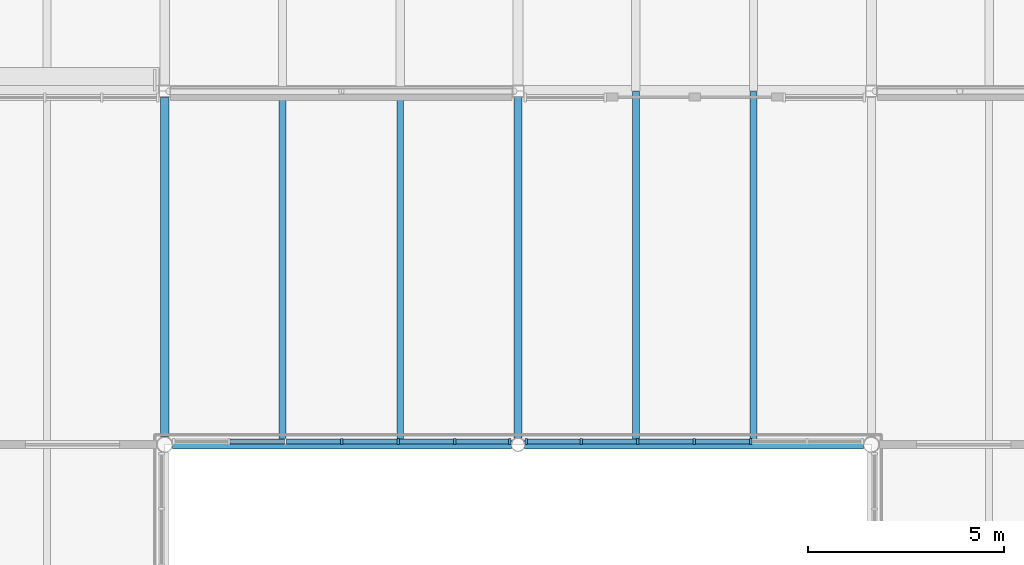
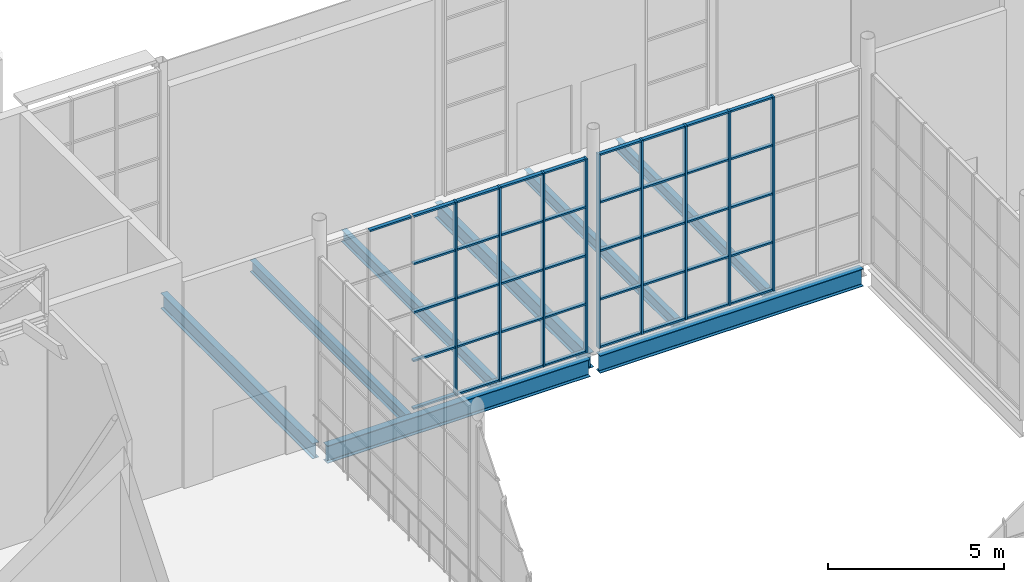
# One storey, part 54 of 90: 50 members, 8 beams, 2 elements without a shape of their own.
"""IFC4 building model written with IfcOpenShell, lengths in metres."""

from ifc_helpers import new_model, si_unit, direction, frame, origin, origin_2d, place, context, subcontext, project, spatial, rectangle, i_section, extrude, material, layer, layer_set, material_profile, profile_set, type_object, element, aggregate, save


model = new_model("IFC4")

# Units and contexts
model_context = context("Model", 3, precision=1e-05, world=origin(), true_north=direction((0.0, 1.0)))
body_context = subcontext(model_context, "Body", "Model", "MODEL_VIEW")
ifc_project = project(units=[si_unit("LENGTHUNIT", "METRE"), si_unit("AREAUNIT", "SQUARE_METRE"), si_unit("VOLUMEUNIT", "CUBIC_METRE"), si_unit("PLANEANGLEUNIT", "RADIAN"), si_unit("MASSUNIT", "GRAM", prefix="KILO")], contexts=[model_context])

# Site, building, storey
site_placement = place(None, origin())
site = spatial("IfcSite", under=ifc_project, at=site_placement, CompositionType="ELEMENT")
building_placement = place(site_placement, origin())
building = spatial("IfcBuilding", under=site, at=building_placement, Name="Halyard Row Museum", CompositionType="ELEMENT")
storey_placement = place(building_placement, frame((0.0, 0.0, 13.39990234375)))
storey = spatial("IfcBuildingStorey", under=building, at=storey_placement, Name="L03", CompositionType="ELEMENT", Elevation=13.39990234375)

# Curtain wall, members
ifc_material_1 = material(Name="Fire-resisting laminated glazing", Category="glass")
ifc_layer = layer(ifc_material_1, 0.159912109375)
ifc_layer_set = layer_set([ifc_layer], Name="Fire-resisting laminated glazing")
curtain_wall_type = type_object("IfcCurtainWallType", Name="Curtain wall atrium screen 160 deep", PredefinedType="NOTDEFINED", material=ifc_layer_set)
curtain_wall_1_placement = place(storey_placement, origin())
curtain_wall_1 = element("IfcCurtainWall", 1, at=curtain_wall_1_placement, inside=storey, type_object=curtain_wall_type, Name="Curtain wall CW098", PredefinedType="NOTDEFINED")
ifc_material_2 = material(Name="Powder-coated aluminium section", Category="aluminium")
ifc_material_profile_1 = material_profile(ifc_material_2, rectangle(XDim=0.159912109375, YDim=0.06005859375, at=origin_2d()), Name="160x60 mullion")
ifc_profile_set_1 = profile_set([ifc_material_profile_1], Name="Powder-coated aluminium section")
member_type_1 = type_object("IfcMemberType", Name="Curtain wall mullion CM5 60 x 160", PredefinedType="MULLION", material=ifc_profile_set_1)
member_1_placement = place(storey_placement, frame((95.923828125, 27.080078125, 0.0), z_axis=(0.0, 0.0, 1.0), x_axis=(0.0, -1.0, 0.0)))
member_1 = element("IfcMember", 2, at=member_1_placement, type_object=member_type_1, Name="CW098 mullion 3", PredefinedType="MULLION", context=body_context, shape_type="SweptSolid", body=[
    extrude(rectangle(XDim=0.159912109375, YDim=0.06005859375, at=origin_2d()), origin(), (0.0, 0.0, 1.0), 6.732177734375),
])
member_2_placement = place(storey_placement, frame((94.4873046875, 27.080078125, 0.0), z_axis=(0.0, 0.0, 1.0), x_axis=(0.0, -1.0, 0.0)))
member_2 = element("IfcMember", 3, at=member_2_placement, type_object=member_type_1, Name="CW098 mullion 4", PredefinedType="MULLION", context=body_context, shape_type="SweptSolid", body=[
    extrude(rectangle(XDim=0.159912109375, YDim=0.06005859375, at=origin_2d()), origin(), (0.0, 0.0, 1.0), 6.732177734375),
])
member_3_placement = place(storey_placement, frame((93.05078125, 27.080078125, 0.0), z_axis=(0.0, 0.0, 1.0), x_axis=(0.0, -1.0, 0.0)))
member_3 = element("IfcMember", 4, at=member_3_placement, type_object=member_type_1, Name="CW098 mullion 5", PredefinedType="MULLION", context=body_context, shape_type="SweptSolid", body=[
    extrude(rectangle(XDim=0.159912109375, YDim=0.06005859375, at=origin_2d()), origin(), (0.0, 0.0, 1.0), 6.732177734375),
])
member_4_placement = place(storey_placement, frame((91.6142578125, 27.080078125, 0.0), z_axis=(0.0, 0.0, 1.0), x_axis=(0.0, -1.0, 0.0)))
member_4 = element("IfcMember", 5, at=member_4_placement, type_object=member_type_1, Name="CW098 mullion 6", PredefinedType="MULLION", context=body_context, shape_type="SweptSolid", body=[
    extrude(rectangle(XDim=0.159912109375, YDim=0.06005859375, at=origin_2d()), origin(), (0.0, 0.0, 1.0), 6.732177734375),
])
member_5_placement = place(storey_placement, frame((90.207763671875, 27.080078125, 0.0), z_axis=(0.0, 0.0, 1.0), x_axis=(0.0, -1.0, 0.0)))
member_5 = element("IfcMember", 6, at=member_5_placement, type_object=member_type_1, Name="CW098 mullion 7", PredefinedType="MULLION", context=body_context, shape_type="SweptSolid", body=[
    extrude(rectangle(XDim=0.159912109375, YDim=0.06005859375, at=origin_2d()), origin(), (0.0, 0.0, 1.0), 6.732177734375),
])

curtain_wall_2_placement = place(storey_placement, origin())
curtain_wall_2 = element("IfcCurtainWall", 7, at=curtain_wall_2_placement, inside=storey, type_object=curtain_wall_type, Name="Curtain wall CW099", PredefinedType="NOTDEFINED")
member_6_placement = place(storey_placement, frame((89.792236328125, 27.080078125, 0.0), z_axis=(0.0, 0.0, 1.0), x_axis=(0.0, -1.0, 0.0)))
member_6 = element("IfcMember", 8, at=member_6_placement, type_object=member_type_1, Name="CW099 mullion 1", PredefinedType="MULLION", context=body_context, shape_type="SweptSolid", body=[
    extrude(rectangle(XDim=0.159912109375, YDim=0.06005859375, at=origin_2d()), origin(), (0.0, 0.0, 1.0), 6.732177734375),
])
member_7_placement = place(storey_placement, frame((88.3857421875, 27.080078125, 0.0), z_axis=(0.0, 0.0, 1.0), x_axis=(0.0, -1.0, 0.0)))
member_7 = element("IfcMember", 9, at=member_7_placement, type_object=member_type_1, Name="CW099 mullion 2", PredefinedType="MULLION", context=body_context, shape_type="SweptSolid", body=[
    extrude(rectangle(XDim=0.159912109375, YDim=0.06005859375, at=origin_2d()), origin(), (0.0, 0.0, 1.0), 6.732177734375),
])
member_8_placement = place(storey_placement, frame((86.94921875, 27.080078125, 0.0), z_axis=(0.0, 0.0, 1.0), x_axis=(0.0, -1.0, 0.0)))
member_8 = element("IfcMember", 10, at=member_8_placement, type_object=member_type_1, Name="CW099 mullion 3", PredefinedType="MULLION", context=body_context, shape_type="SweptSolid", body=[
    extrude(rectangle(XDim=0.159912109375, YDim=0.06005859375, at=origin_2d()), origin(), (0.0, 0.0, 1.0), 6.732177734375),
])
member_9_placement = place(storey_placement, frame((85.5126953125, 27.080078125, 0.0), z_axis=(0.0, 0.0, 1.0), x_axis=(0.0, -1.0, 0.0)))
member_9 = element("IfcMember", 11, at=member_9_placement, type_object=member_type_1, Name="CW099 mullion 4", PredefinedType="MULLION", context=body_context, shape_type="SweptSolid", body=[
    extrude(rectangle(XDim=0.159912109375, YDim=0.06005859375, at=origin_2d()), origin(), (0.0, 0.0, 1.0), 6.732177734375),
])

# Member
ifc_material_3 = material(Name="Powder-coated aluminium section", Category="aluminium")
ifc_material_profile_2 = material_profile(ifc_material_3, rectangle(XDim=0.1201171875, YDim=0.06005859375, at=origin_2d()), Name="120x60 transom")
ifc_profile_set_2 = profile_set([ifc_material_profile_2], Name="Powder-coated aluminium section")
member_type_2 = type_object("IfcMemberType", Name="Curtain wall transom CT5 60 x 120", PredefinedType="USERDEFINED", material=ifc_profile_set_2)
member_10_placement = place(storey_placement, frame((95.893798828125, 27.080078125, 0.030029296875), z_axis=(-1.0, 0.0, 0.0), x_axis=(0.0, -1.0, 0.0)))
member_10 = element("IfcMember", 12, at=member_10_placement, type_object=member_type_2, Name="CW098 transom 3.1", ObjectType="TRANSOM", PredefinedType="USERDEFINED", context=body_context, shape_type="SweptSolid", body=[
    extrude(rectangle(XDim=0.1201171875, YDim=0.06005859375, at=origin_2d()), origin(), (0.0, 0.0, 1.0), 1.37646484375),
])

member_11_placement = place(storey_placement, frame((95.893798828125, 27.080078125, 1.68310546875), z_axis=(-1.0, 0.0, 0.0), x_axis=(0.0, -1.0, 0.0)))
member_11 = element("IfcMember", 13, at=member_11_placement, type_object=member_type_2, Name="CW098 transom 3.2", ObjectType="TRANSOM", PredefinedType="USERDEFINED", context=body_context, shape_type="SweptSolid", body=[
    extrude(rectangle(XDim=0.1201171875, YDim=0.06005859375, at=origin_2d()), origin(), (0.0, 0.0, 1.0), 1.37646484375),
])

member_12_placement = place(storey_placement, frame((95.893798828125, 27.080078125, 3.3662109375), z_axis=(-1.0, 0.0, 0.0), x_axis=(0.0, -1.0, 0.0)))
member_12 = element("IfcMember", 14, at=member_12_placement, type_object=member_type_2, Name="CW098 transom 3.3", ObjectType="TRANSOM", PredefinedType="USERDEFINED", context=body_context, shape_type="SweptSolid", body=[
    extrude(rectangle(XDim=0.1201171875, YDim=0.06005859375, at=origin_2d()), origin(), (0.0, 0.0, 1.0), 1.37646484375),
])

member_13_placement = place(storey_placement, frame((95.893798828125, 27.080078125, 5.049072265625), z_axis=(-1.0, 0.0, 0.0), x_axis=(0.0, -1.0, 0.0)))
member_13 = element("IfcMember", 15, at=member_13_placement, type_object=member_type_2, Name="CW098 transom 3.4", ObjectType="TRANSOM", PredefinedType="USERDEFINED", context=body_context, shape_type="SweptSolid", body=[
    extrude(rectangle(XDim=0.1201171875, YDim=0.06005859375, at=origin_2d()), origin(), (0.0, 0.0, 1.0), 1.37646484375),
])

member_14_placement = place(storey_placement, frame((95.893798828125, 27.080078125, 6.7021484375), z_axis=(-1.0, 0.0, 0.0), x_axis=(0.0, -1.0, 0.0)))
member_14 = element("IfcMember", 16, at=member_14_placement, type_object=member_type_2, Name="CW098 transom 3.5", ObjectType="TRANSOM", PredefinedType="USERDEFINED", context=body_context, shape_type="SweptSolid", body=[
    extrude(rectangle(XDim=0.1201171875, YDim=0.06005859375, at=origin_2d()), origin(), (0.0, 0.0, 1.0), 1.37646484375),
])

member_15_placement = place(storey_placement, frame((94.457275390625, 27.080078125, 0.030029296875), z_axis=(-1.0, 0.0, 0.0), x_axis=(0.0, -1.0, 0.0)))
member_15 = element("IfcMember", 17, at=member_15_placement, type_object=member_type_2, Name="CW098 transom 4.1", ObjectType="TRANSOM", PredefinedType="USERDEFINED", context=body_context, shape_type="SweptSolid", body=[
    extrude(rectangle(XDim=0.1201171875, YDim=0.06005859375, at=origin_2d()), origin(), (0.0, 0.0, 1.0), 1.37646484375),
])

member_16_placement = place(storey_placement, frame((94.457275390625, 27.080078125, 1.68310546875), z_axis=(-1.0, 0.0, 0.0), x_axis=(0.0, -1.0, 0.0)))
member_16 = element("IfcMember", 18, at=member_16_placement, type_object=member_type_2, Name="CW098 transom 4.2", ObjectType="TRANSOM", PredefinedType="USERDEFINED", context=body_context, shape_type="SweptSolid", body=[
    extrude(rectangle(XDim=0.1201171875, YDim=0.06005859375, at=origin_2d()), origin(), (0.0, 0.0, 1.0), 1.37646484375),
])

member_17_placement = place(storey_placement, frame((94.457275390625, 27.080078125, 3.3662109375), z_axis=(-1.0, 0.0, 0.0), x_axis=(0.0, -1.0, 0.0)))
member_17 = element("IfcMember", 19, at=member_17_placement, type_object=member_type_2, Name="CW098 transom 4.3", ObjectType="TRANSOM", PredefinedType="USERDEFINED", context=body_context, shape_type="SweptSolid", body=[
    extrude(rectangle(XDim=0.1201171875, YDim=0.06005859375, at=origin_2d()), origin(), (0.0, 0.0, 1.0), 1.37646484375),
])

member_18_placement = place(storey_placement, frame((94.457275390625, 27.080078125, 5.049072265625), z_axis=(-1.0, 0.0, 0.0), x_axis=(0.0, -1.0, 0.0)))
member_18 = element("IfcMember", 20, at=member_18_placement, type_object=member_type_2, Name="CW098 transom 4.4", ObjectType="TRANSOM", PredefinedType="USERDEFINED", context=body_context, shape_type="SweptSolid", body=[
    extrude(rectangle(XDim=0.1201171875, YDim=0.06005859375, at=origin_2d()), origin(), (0.0, 0.0, 1.0), 1.37646484375),
])

member_19_placement = place(storey_placement, frame((94.457275390625, 27.080078125, 6.7021484375), z_axis=(-1.0, 0.0, 0.0), x_axis=(0.0, -1.0, 0.0)))
member_19 = element("IfcMember", 21, at=member_19_placement, type_object=member_type_2, Name="CW098 transom 4.5", ObjectType="TRANSOM", PredefinedType="USERDEFINED", context=body_context, shape_type="SweptSolid", body=[
    extrude(rectangle(XDim=0.1201171875, YDim=0.06005859375, at=origin_2d()), origin(), (0.0, 0.0, 1.0), 1.37646484375),
])

member_20_placement = place(storey_placement, frame((93.020751953125, 27.080078125, 0.030029296875), z_axis=(-1.0, 0.0, 0.0), x_axis=(0.0, -1.0, 0.0)))
member_20 = element("IfcMember", 22, at=member_20_placement, type_object=member_type_2, Name="CW098 transom 5.1", ObjectType="TRANSOM", PredefinedType="USERDEFINED", context=body_context, shape_type="SweptSolid", body=[
    extrude(rectangle(XDim=0.1201171875, YDim=0.06005859375, at=origin_2d()), origin(), (0.0, 0.0, 1.0), 1.37646484375),
])

member_21_placement = place(storey_placement, frame((93.020751953125, 27.080078125, 1.68310546875), z_axis=(-1.0, 0.0, 0.0), x_axis=(0.0, -1.0, 0.0)))
member_21 = element("IfcMember", 23, at=member_21_placement, type_object=member_type_2, Name="CW098 transom 5.2", ObjectType="TRANSOM", PredefinedType="USERDEFINED", context=body_context, shape_type="SweptSolid", body=[
    extrude(rectangle(XDim=0.1201171875, YDim=0.06005859375, at=origin_2d()), origin(), (0.0, 0.0, 1.0), 1.37646484375),
])

member_22_placement = place(storey_placement, frame((93.020751953125, 27.080078125, 3.3662109375), z_axis=(-1.0, 0.0, 0.0), x_axis=(0.0, -1.0, 0.0)))
member_22 = element("IfcMember", 24, at=member_22_placement, type_object=member_type_2, Name="CW098 transom 5.3", ObjectType="TRANSOM", PredefinedType="USERDEFINED", context=body_context, shape_type="SweptSolid", body=[
    extrude(rectangle(XDim=0.1201171875, YDim=0.06005859375, at=origin_2d()), origin(), (0.0, 0.0, 1.0), 1.37646484375),
])

member_23_placement = place(storey_placement, frame((93.020751953125, 27.080078125, 5.049072265625), z_axis=(-1.0, 0.0, 0.0), x_axis=(0.0, -1.0, 0.0)))
member_23 = element("IfcMember", 25, at=member_23_placement, type_object=member_type_2, Name="CW098 transom 5.4", ObjectType="TRANSOM", PredefinedType="USERDEFINED", context=body_context, shape_type="SweptSolid", body=[
    extrude(rectangle(XDim=0.1201171875, YDim=0.06005859375, at=origin_2d()), origin(), (0.0, 0.0, 1.0), 1.37646484375),
])

member_24_placement = place(storey_placement, frame((93.020751953125, 27.080078125, 6.7021484375), z_axis=(-1.0, 0.0, 0.0), x_axis=(0.0, -1.0, 0.0)))
member_24 = element("IfcMember", 26, at=member_24_placement, type_object=member_type_2, Name="CW098 transom 5.5", ObjectType="TRANSOM", PredefinedType="USERDEFINED", context=body_context, shape_type="SweptSolid", body=[
    extrude(rectangle(XDim=0.1201171875, YDim=0.06005859375, at=origin_2d()), origin(), (0.0, 0.0, 1.0), 1.37646484375),
])

member_25_placement = place(storey_placement, frame((91.584228515625, 27.080078125, 0.030029296875), z_axis=(-1.0, 0.0, 0.0), x_axis=(0.0, -1.0, 0.0)))
member_25 = element("IfcMember", 27, at=member_25_placement, type_object=member_type_2, Name="CW098 transom 6.1", ObjectType="TRANSOM", PredefinedType="USERDEFINED", context=body_context, shape_type="SweptSolid", body=[
    extrude(rectangle(XDim=0.1201171875, YDim=0.06005859375, at=origin_2d()), origin(), (0.0, 0.0, 1.0), 1.346435546875),
])

member_26_placement = place(storey_placement, frame((91.584228515625, 27.080078125, 1.68310546875), z_axis=(-1.0, 0.0, 0.0), x_axis=(0.0, -1.0, 0.0)))
member_26 = element("IfcMember", 28, at=member_26_placement, type_object=member_type_2, Name="CW098 transom 6.2", ObjectType="TRANSOM", PredefinedType="USERDEFINED", context=body_context, shape_type="SweptSolid", body=[
    extrude(rectangle(XDim=0.1201171875, YDim=0.06005859375, at=origin_2d()), origin(), (0.0, 0.0, 1.0), 1.346435546875),
])

member_27_placement = place(storey_placement, frame((91.584228515625, 27.080078125, 3.3662109375), z_axis=(-1.0, 0.0, 0.0), x_axis=(0.0, -1.0, 0.0)))
member_27 = element("IfcMember", 29, at=member_27_placement, type_object=member_type_2, Name="CW098 transom 6.3", ObjectType="TRANSOM", PredefinedType="USERDEFINED", context=body_context, shape_type="SweptSolid", body=[
    extrude(rectangle(XDim=0.1201171875, YDim=0.06005859375, at=origin_2d()), origin(), (0.0, 0.0, 1.0), 1.346435546875),
])

member_28_placement = place(storey_placement, frame((91.584228515625, 27.080078125, 5.049072265625), z_axis=(-1.0, 0.0, 0.0), x_axis=(0.0, -1.0, 0.0)))
member_28 = element("IfcMember", 30, at=member_28_placement, type_object=member_type_2, Name="CW098 transom 6.4", ObjectType="TRANSOM", PredefinedType="USERDEFINED", context=body_context, shape_type="SweptSolid", body=[
    extrude(rectangle(XDim=0.1201171875, YDim=0.06005859375, at=origin_2d()), origin(), (0.0, 0.0, 1.0), 1.346435546875),
])

member_29_placement = place(storey_placement, frame((91.584228515625, 27.080078125, 6.7021484375), z_axis=(-1.0, 0.0, 0.0), x_axis=(0.0, -1.0, 0.0)))
member_29 = element("IfcMember", 31, at=member_29_placement, type_object=member_type_2, Name="CW098 transom 6.5", ObjectType="TRANSOM", PredefinedType="USERDEFINED", context=body_context, shape_type="SweptSolid", body=[
    extrude(rectangle(XDim=0.1201171875, YDim=0.06005859375, at=origin_2d()), origin(), (0.0, 0.0, 1.0), 1.346435546875),
])

aggregate(curtain_wall_1, [member_1, member_2, member_3, member_4, member_5, member_10, member_11, member_12, member_13, member_14, member_15, member_16, member_17, member_18, member_19, member_20, member_21, member_22, member_23, member_24, member_25, member_26, member_27, member_28, member_29])

member_30_placement = place(storey_placement, frame((89.76220703125, 27.080078125, 0.030029296875), z_axis=(-1.0, 0.0, 0.0), x_axis=(0.0, -1.0, 0.0)))
member_30 = element("IfcMember", 32, at=member_30_placement, type_object=member_type_2, Name="CW099 transom 1.1", ObjectType="TRANSOM", PredefinedType="USERDEFINED", context=body_context, shape_type="SweptSolid", body=[
    extrude(rectangle(XDim=0.1201171875, YDim=0.06005859375, at=origin_2d()), origin(), (0.0, 0.0, 1.0), 1.346435546875),
])

member_31_placement = place(storey_placement, frame((89.76220703125, 27.080078125, 1.68310546875), z_axis=(-1.0, 0.0, 0.0), x_axis=(0.0, -1.0, 0.0)))
member_31 = element("IfcMember", 33, at=member_31_placement, type_object=member_type_2, Name="CW099 transom 1.2", ObjectType="TRANSOM", PredefinedType="USERDEFINED", context=body_context, shape_type="SweptSolid", body=[
    extrude(rectangle(XDim=0.1201171875, YDim=0.06005859375, at=origin_2d()), origin(), (0.0, 0.0, 1.0), 1.346435546875),
])

member_32_placement = place(storey_placement, frame((89.76220703125, 27.080078125, 3.3662109375), z_axis=(-1.0, 0.0, 0.0), x_axis=(0.0, -1.0, 0.0)))
member_32 = element("IfcMember", 34, at=member_32_placement, type_object=member_type_2, Name="CW099 transom 1.3", ObjectType="TRANSOM", PredefinedType="USERDEFINED", context=body_context, shape_type="SweptSolid", body=[
    extrude(rectangle(XDim=0.1201171875, YDim=0.06005859375, at=origin_2d()), origin(), (0.0, 0.0, 1.0), 1.346435546875),
])

member_33_placement = place(storey_placement, frame((89.76220703125, 27.080078125, 5.049072265625), z_axis=(-1.0, 0.0, 0.0), x_axis=(0.0, -1.0, 0.0)))
member_33 = element("IfcMember", 35, at=member_33_placement, type_object=member_type_2, Name="CW099 transom 1.4", ObjectType="TRANSOM", PredefinedType="USERDEFINED", context=body_context, shape_type="SweptSolid", body=[
    extrude(rectangle(XDim=0.1201171875, YDim=0.06005859375, at=origin_2d()), origin(), (0.0, 0.0, 1.0), 1.346435546875),
])

member_34_placement = place(storey_placement, frame((89.76220703125, 27.080078125, 6.7021484375), z_axis=(-1.0, 0.0, 0.0), x_axis=(0.0, -1.0, 0.0)))
member_34 = element("IfcMember", 36, at=member_34_placement, type_object=member_type_2, Name="CW099 transom 1.5", ObjectType="TRANSOM", PredefinedType="USERDEFINED", context=body_context, shape_type="SweptSolid", body=[
    extrude(rectangle(XDim=0.1201171875, YDim=0.06005859375, at=origin_2d()), origin(), (0.0, 0.0, 1.0), 1.346435546875),
])

member_35_placement = place(storey_placement, frame((88.355712890625, 27.080078125, 0.030029296875), z_axis=(-1.0, 0.0, 0.0), x_axis=(0.0, -1.0, 0.0)))
member_35 = element("IfcMember", 37, at=member_35_placement, type_object=member_type_2, Name="CW099 transom 2.1", ObjectType="TRANSOM", PredefinedType="USERDEFINED", context=body_context, shape_type="SweptSolid", body=[
    extrude(rectangle(XDim=0.1201171875, YDim=0.06005859375, at=origin_2d()), origin(), (0.0, 0.0, 1.0), 1.37646484375),
])

member_36_placement = place(storey_placement, frame((88.355712890625, 27.080078125, 1.68310546875), z_axis=(-1.0, 0.0, 0.0), x_axis=(0.0, -1.0, 0.0)))
member_36 = element("IfcMember", 38, at=member_36_placement, type_object=member_type_2, Name="CW099 transom 2.2", ObjectType="TRANSOM", PredefinedType="USERDEFINED", context=body_context, shape_type="SweptSolid", body=[
    extrude(rectangle(XDim=0.1201171875, YDim=0.06005859375, at=origin_2d()), origin(), (0.0, 0.0, 1.0), 1.37646484375),
])

member_37_placement = place(storey_placement, frame((88.355712890625, 27.080078125, 3.3662109375), z_axis=(-1.0, 0.0, 0.0), x_axis=(0.0, -1.0, 0.0)))
member_37 = element("IfcMember", 39, at=member_37_placement, type_object=member_type_2, Name="CW099 transom 2.3", ObjectType="TRANSOM", PredefinedType="USERDEFINED", context=body_context, shape_type="SweptSolid", body=[
    extrude(rectangle(XDim=0.1201171875, YDim=0.06005859375, at=origin_2d()), origin(), (0.0, 0.0, 1.0), 1.37646484375),
])

member_38_placement = place(storey_placement, frame((88.355712890625, 27.080078125, 5.049072265625), z_axis=(-1.0, 0.0, 0.0), x_axis=(0.0, -1.0, 0.0)))
member_38 = element("IfcMember", 40, at=member_38_placement, type_object=member_type_2, Name="CW099 transom 2.4", ObjectType="TRANSOM", PredefinedType="USERDEFINED", context=body_context, shape_type="SweptSolid", body=[
    extrude(rectangle(XDim=0.1201171875, YDim=0.06005859375, at=origin_2d()), origin(), (0.0, 0.0, 1.0), 1.37646484375),
])

member_39_placement = place(storey_placement, frame((88.355712890625, 27.080078125, 6.7021484375), z_axis=(-1.0, 0.0, 0.0), x_axis=(0.0, -1.0, 0.0)))
member_39 = element("IfcMember", 41, at=member_39_placement, type_object=member_type_2, Name="CW099 transom 2.5", ObjectType="TRANSOM", PredefinedType="USERDEFINED", context=body_context, shape_type="SweptSolid", body=[
    extrude(rectangle(XDim=0.1201171875, YDim=0.06005859375, at=origin_2d()), origin(), (0.0, 0.0, 1.0), 1.37646484375),
])

member_40_placement = place(storey_placement, frame((86.919189453125, 27.080078125, 0.030029296875), z_axis=(-1.0, 0.0, 0.0), x_axis=(0.0, -1.0, 0.0)))
member_40 = element("IfcMember", 42, at=member_40_placement, type_object=member_type_2, Name="CW099 transom 3.1", ObjectType="TRANSOM", PredefinedType="USERDEFINED", context=body_context, shape_type="SweptSolid", body=[
    extrude(rectangle(XDim=0.1201171875, YDim=0.06005859375, at=origin_2d()), origin(), (0.0, 0.0, 1.0), 1.37646484375),
])

member_41_placement = place(storey_placement, frame((86.919189453125, 27.080078125, 1.68310546875), z_axis=(-1.0, 0.0, 0.0), x_axis=(0.0, -1.0, 0.0)))
member_41 = element("IfcMember", 43, at=member_41_placement, type_object=member_type_2, Name="CW099 transom 3.2", ObjectType="TRANSOM", PredefinedType="USERDEFINED", context=body_context, shape_type="SweptSolid", body=[
    extrude(rectangle(XDim=0.1201171875, YDim=0.06005859375, at=origin_2d()), origin(), (0.0, 0.0, 1.0), 1.37646484375),
])

member_42_placement = place(storey_placement, frame((86.919189453125, 27.080078125, 3.3662109375), z_axis=(-1.0, 0.0, 0.0), x_axis=(0.0, -1.0, 0.0)))
member_42 = element("IfcMember", 44, at=member_42_placement, type_object=member_type_2, Name="CW099 transom 3.3", ObjectType="TRANSOM", PredefinedType="USERDEFINED", context=body_context, shape_type="SweptSolid", body=[
    extrude(rectangle(XDim=0.1201171875, YDim=0.06005859375, at=origin_2d()), origin(), (0.0, 0.0, 1.0), 1.37646484375),
])

member_43_placement = place(storey_placement, frame((86.919189453125, 27.080078125, 5.049072265625), z_axis=(-1.0, 0.0, 0.0), x_axis=(0.0, -1.0, 0.0)))
member_43 = element("IfcMember", 45, at=member_43_placement, type_object=member_type_2, Name="CW099 transom 3.4", ObjectType="TRANSOM", PredefinedType="USERDEFINED", context=body_context, shape_type="SweptSolid", body=[
    extrude(rectangle(XDim=0.1201171875, YDim=0.06005859375, at=origin_2d()), origin(), (0.0, 0.0, 1.0), 1.37646484375),
])

member_44_placement = place(storey_placement, frame((86.919189453125, 27.080078125, 6.7021484375), z_axis=(-1.0, 0.0, 0.0), x_axis=(0.0, -1.0, 0.0)))
member_44 = element("IfcMember", 46, at=member_44_placement, type_object=member_type_2, Name="CW099 transom 3.5", ObjectType="TRANSOM", PredefinedType="USERDEFINED", context=body_context, shape_type="SweptSolid", body=[
    extrude(rectangle(XDim=0.1201171875, YDim=0.06005859375, at=origin_2d()), origin(), (0.0, 0.0, 1.0), 1.37646484375),
])

member_45_placement = place(storey_placement, frame((85.482666015625, 27.080078125, 0.030029296875), z_axis=(-1.0, 0.0, 0.0), x_axis=(0.0, -1.0, 0.0)))
member_45 = element("IfcMember", 47, at=member_45_placement, type_object=member_type_2, Name="CW099 transom 4.1", ObjectType="TRANSOM", PredefinedType="USERDEFINED", context=body_context, shape_type="SweptSolid", body=[
    extrude(rectangle(XDim=0.1201171875, YDim=0.06005859375, at=origin_2d()), origin(), (0.0, 0.0, 1.0), 1.37646484375),
])

member_46_placement = place(storey_placement, frame((85.482666015625, 27.080078125, 1.68310546875), z_axis=(-1.0, 0.0, 0.0), x_axis=(0.0, -1.0, 0.0)))
member_46 = element("IfcMember", 48, at=member_46_placement, type_object=member_type_2, Name="CW099 transom 4.2", ObjectType="TRANSOM", PredefinedType="USERDEFINED", context=body_context, shape_type="SweptSolid", body=[
    extrude(rectangle(XDim=0.1201171875, YDim=0.06005859375, at=origin_2d()), origin(), (0.0, 0.0, 1.0), 1.37646484375),
])

member_47_placement = place(storey_placement, frame((85.482666015625, 27.080078125, 3.3662109375), z_axis=(-1.0, 0.0, 0.0), x_axis=(0.0, -1.0, 0.0)))
member_47 = element("IfcMember", 49, at=member_47_placement, type_object=member_type_2, Name="CW099 transom 4.3", ObjectType="TRANSOM", PredefinedType="USERDEFINED", context=body_context, shape_type="SweptSolid", body=[
    extrude(rectangle(XDim=0.1201171875, YDim=0.06005859375, at=origin_2d()), origin(), (0.0, 0.0, 1.0), 1.37646484375),
])

member_48_placement = place(storey_placement, frame((85.482666015625, 27.080078125, 5.049072265625), z_axis=(-1.0, 0.0, 0.0), x_axis=(0.0, -1.0, 0.0)))
member_48 = element("IfcMember", 50, at=member_48_placement, type_object=member_type_2, Name="CW099 transom 4.4", ObjectType="TRANSOM", PredefinedType="USERDEFINED", context=body_context, shape_type="SweptSolid", body=[
    extrude(rectangle(XDim=0.1201171875, YDim=0.06005859375, at=origin_2d()), origin(), (0.0, 0.0, 1.0), 1.37646484375),
])

member_49_placement = place(storey_placement, frame((85.482666015625, 27.080078125, 6.7021484375), z_axis=(-1.0, 0.0, 0.0), x_axis=(0.0, -1.0, 0.0)))
member_49 = element("IfcMember", 51, at=member_49_placement, type_object=member_type_2, Name="CW099 transom 4.5", ObjectType="TRANSOM", PredefinedType="USERDEFINED", context=body_context, shape_type="SweptSolid", body=[
    extrude(rectangle(XDim=0.1201171875, YDim=0.06005859375, at=origin_2d()), origin(), (0.0, 0.0, 1.0), 1.37646484375),
])

member_50_placement = place(storey_placement, frame((84.046142578125, 27.080078125, 6.7021484375), z_axis=(-1.0, 0.0, 0.0), x_axis=(0.0, -1.0, 0.0)))
member_50 = element("IfcMember", 52, at=member_50_placement, type_object=member_type_2, Name="CW099 transom 5.5", ObjectType="TRANSOM", PredefinedType="USERDEFINED", context=body_context, shape_type="SweptSolid", body=[
    extrude(rectangle(XDim=0.1201171875, YDim=0.06005859375, at=origin_2d()), origin(), (0.0, 0.0, 1.0), 1.37646484375),
])

aggregate(curtain_wall_2, [member_6, member_7, member_8, member_9, member_30, member_31, member_32, member_33, member_34, member_35, member_36, member_37, member_38, member_39, member_40, member_41, member_42, member_43, member_44, member_45, member_46, member_47, member_48, member_49, member_50])

# Beams
ifc_material_4 = material(Name="Steel Grade 300", Category="steel")
ifc_material_profile_3 = material_profile(ifc_material_4, i_section(OverallWidth=0.208984375, OverallDepth=0.532958984375, WebThickness=0.01025390625, FlangeThickness=0.015625, FilletRadius=0.013916015625, at=origin_2d()), Name="530UB92.4")
ifc_profile_set_3 = profile_set([ifc_material_profile_3], Name="Steel Grade 300")
beam_type_1 = type_object("IfcBeamType", Name="Girder beam 530UB92.4", PredefinedType="BEAM", material=ifc_profile_set_3)
beam_1_placement = place(storey_placement, frame((81.0, 27.203125, -0.431396484375), z_axis=(0.0, 1.0, 0.0), x_axis=(-1.0, 0.0, 0.0)))
element("IfcBeam", 53, at=beam_1_placement, inside=storey, type_object=beam_type_1, Name="Beam L03-059", PredefinedType="BEAM", context=body_context, shape_type="SweptSolid", body=[
    extrude(i_section(OverallWidth=0.208984375, OverallDepth=0.532958984375, WebThickness=0.01025390625, FlangeThickness=0.015625, FilletRadius=0.013916015625, at=origin_2d()), origin(), (0.0, 0.0, 1.0), 8.636474609375),
])
beam_2_placement = place(storey_placement, frame((90.0, 27.161865234375, -0.431396484375), z_axis=(0.0, 1.0, 0.0), x_axis=(-1.0, 0.0, 0.0)))
element("IfcBeam", 54, at=beam_2_placement, inside=storey, type_object=beam_type_1, Name="Beam L03-063", PredefinedType="BEAM", context=body_context, shape_type="SweptSolid", body=[
    extrude(i_section(OverallWidth=0.208984375, OverallDepth=0.532958984375, WebThickness=0.01025390625, FlangeThickness=0.015625, FilletRadius=0.013916015625, at=origin_2d()), origin(), (0.0, 0.0, 1.0), 8.68408203125),
])
ifc_material_5 = material(Name="Steel Grade 300", Category="steel")
ifc_material_profile_4 = material_profile(ifc_material_5, i_section(OverallWidth=0.177978515625, OverallDepth=0.406494140625, WebThickness=0.0078125, FlangeThickness=0.0126953125, FilletRadius=0.011474609375, at=origin_2d()), Name="410UB59.7")
ifc_profile_set_4 = profile_set([ifc_material_profile_4], Name="Steel Grade 300")
beam_type_2 = type_object("IfcBeamType", Name="Secondary beam 410UB59.7", PredefinedType="BEAM", material=ifc_profile_set_4)
for number, where, z_axis, x_axis, name in (
    (55, (84.0, 27.114013671875, -0.3681640625), (0.0, 1.0, 0.0), (-1.0, 0.0, 0.0), "Beam L03-111"),
    (56, (87.0, 27.114013671875, -0.3681640625), (0.0, 1.0, 0.0), (-1.0, 0.0, 0.0), "Beam L03-112"),
    (57, (93.0, 27.114013671875, -0.3681640625), (0.0, 1.0, 0.0), (-1.0, 0.0, 0.0), "Beam L03-113"),
    (58, (96.0, 27.114013671875, -0.3681640625), (0.0, 1.0, 0.0), (-1.0, 0.0, 0.0), "Beam L03-114"),
):
    element("IfcBeam", number, at=place(storey_placement, frame(where, z_axis=z_axis, x_axis=x_axis)), inside=storey, type_object=beam_type_2, Name=name, PredefinedType="BEAM", context=body_context, shape_type="SweptSolid", body=[
        extrude(i_section(OverallWidth=0.177978515625, OverallDepth=0.406494140625, WebThickness=0.0078125, FlangeThickness=0.0126953125, FilletRadius=0.011474609375, at=origin_2d()), origin(), (0.0, 0.0, 1.0), 8.8779296875),
    ])
ifc_material_6 = material(Name="Steel Grade 300", Category="steel")
ifc_material_profile_5 = material_profile(ifc_material_6, i_section(OverallWidth=0.22802734375, OverallDepth=0.60693359375, WebThickness=0.01123046875, FlangeThickness=0.017333984375, FilletRadius=0.013916015625, at=origin_2d()), Name="610UB113")
ifc_profile_set_5 = profile_set([ifc_material_profile_5], Name="Steel Grade 300")
beam_type_3 = type_object("IfcBeamType", Name="Void edge beam 610UB113", PredefinedType="BEAM", material=ifc_profile_set_5)
for number, where, z_axis, x_axis, name in (
    (59, (81.203125, 27.0, -0.468505859375), (1.0, 0.0, 0.0), (0.0, 1.0, 0.0), "Beam L03-024"),
    (60, (90.161865234375, 27.0, -0.468505859375), (1.0, 0.0, 0.0), (0.0, 1.0, 0.0), "Beam L03-025"),
):
    element("IfcBeam", number, at=place(storey_placement, frame(where, z_axis=z_axis, x_axis=x_axis)), inside=storey, type_object=beam_type_3, Name=name, PredefinedType="BEAM", context=body_context, shape_type="SweptSolid", body=[
        extrude(i_section(OverallWidth=0.22802734375, OverallDepth=0.60693359375, WebThickness=0.01123046875, FlangeThickness=0.017333984375, FilletRadius=0.013916015625, at=origin_2d()), origin(), (0.0, 0.0, 1.0), 8.635009765625),
    ])

save(model, "model.ifc")
